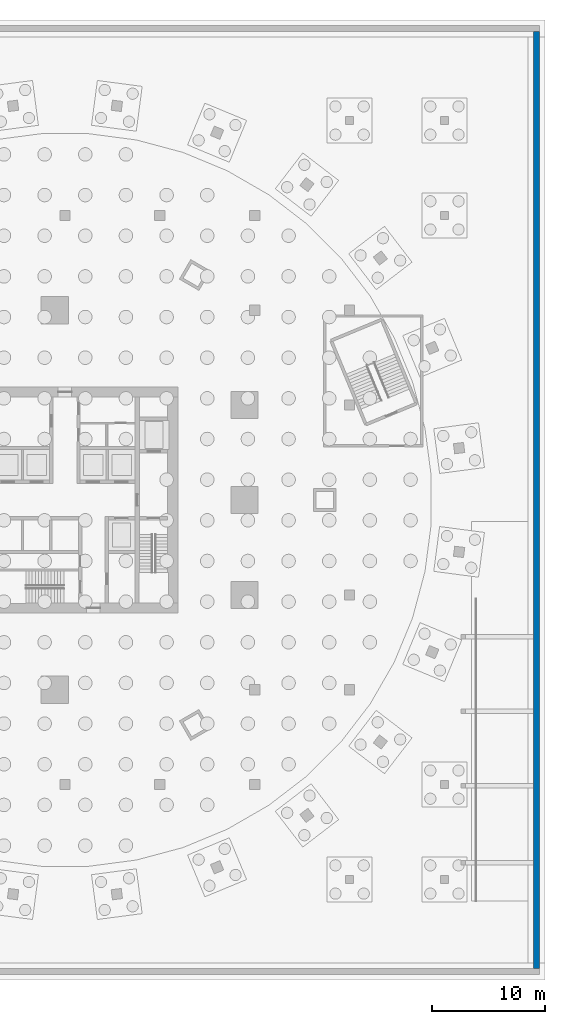
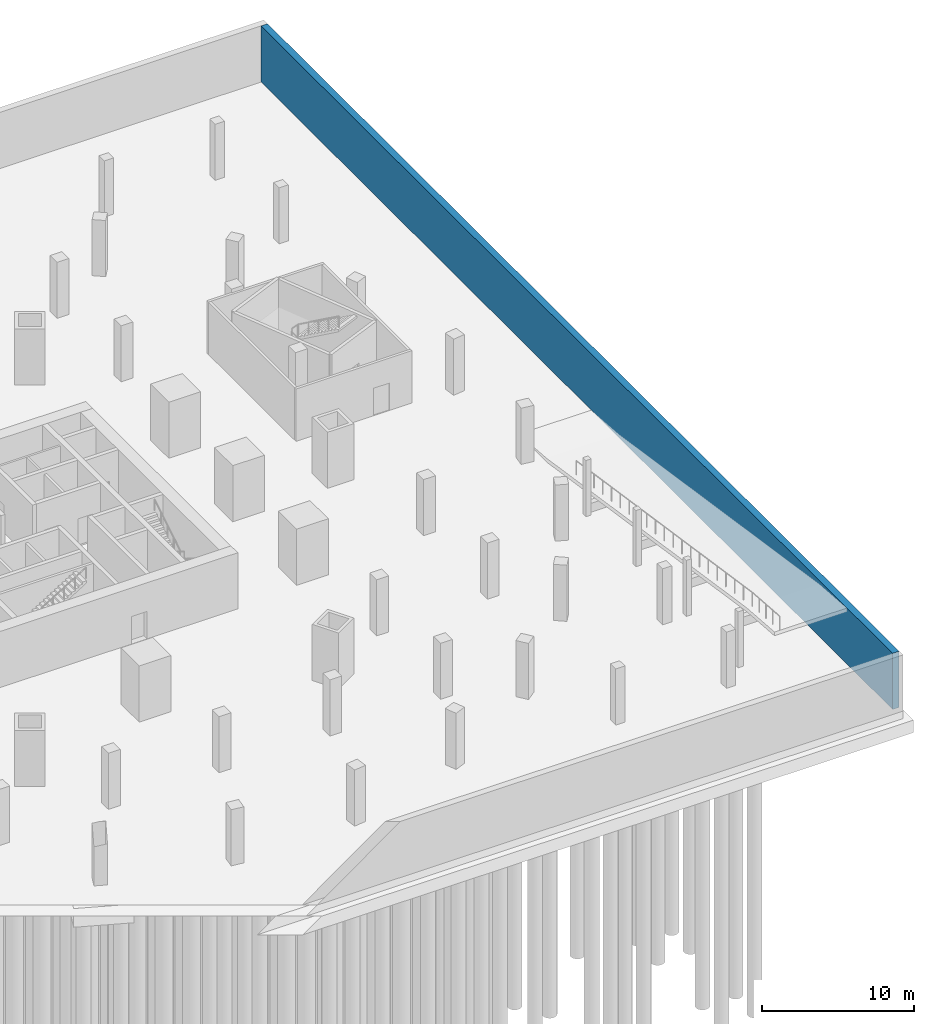
# One storey, part 7 of 12: 1 wall.
"""IFC4 building model written with IfcOpenShell, lengths in metres."""

import ifcopenshell
import ifcopenshell.guid

model = None  # the IFC model being written
_history = None  # IfcOwnerHistory: only IFC2X3 demands one
_inside = {}  # id of a spatial element -> (the spatial element, [elements in it])
_under = {}  # id of a project, library or spatial element -> (it, [spatial elements below it])
_declared = {}  # id of a project -> (the project, [libraries it declares])
_typed = {}  # id of a type object -> (the type object, [elements of that type])
_made_of = {}  # id of a material, layer set ... -> (it, [elements and type objects made of it])


def new_model(schema):
    """Start an empty IFC model of exactly this schema.

    Asked for "IFC4X3", IfcOpenShell would pick the latest addendum, in which some entities
    have other attributes; the version numbers below select the first issue.
    IFC2X3 requires an IfcOwnerHistory on every rooted entity: one is made here for all.
    """
    global model, _history
    if schema == "IFC4X3":
        model = ifcopenshell.file(schema_version=(4, 3, 0, 0))
    else:
        model = ifcopenshell.file(schema=schema)
    _inside.clear()
    _under.clear()
    _declared.clear()
    _typed.clear()
    _made_of.clear()
    _history = None
    if model.schema == "IFC2X3":
        org = make("IfcOrganization", Name="unknown")
        user = make(
            "IfcPersonAndOrganization",
            ThePerson=make("IfcPerson", FamilyName="unknown"),
            TheOrganization=org,
        )
        app = make(
            "IfcApplication",
            ApplicationDeveloper=org,
            Version="unknown",
            ApplicationFullName="unknown",
            ApplicationIdentifier="unknown",
        )
        _history = make(
            "IfcOwnerHistory",
            OwningUser=user,
            OwningApplication=app,
            ChangeAction="ADDED",
            CreationDate=0,
        )
    return model


def make(cls, **values):
    """One entity of the class cls with the attributes given. An attribute that is None is left unset."""
    return model.create_entity(
        cls, **{name: value for name, value in values.items() if value is not None}
    )


def rooted(cls, **values):
    """An entity with a GlobalId (a new one), such as an element, a storey or a relation."""
    return make(cls, GlobalId=ifcopenshell.guid.new(), OwnerHistory=_history, **values)


def si_unit(unit_type, name, prefix=None):
    """IfcSIUnit, for example si_unit("LENGTHUNIT", "METRE", prefix="MILLI")."""
    return make("IfcSIUnit", UnitType=unit_type, Prefix=prefix, Name=name)


def assignment(units):
    """IfcUnitAssignment: the units of a project."""
    return None if units is None else make("IfcUnitAssignment", Units=units)


def point(xyz):
    """IfcCartesianPoint."""
    return None if xyz is None else make("IfcCartesianPoint", Coordinates=xyz)


def direction(xyz):
    """IfcDirection."""
    return None if xyz is None else make("IfcDirection", DirectionRatios=xyz)


def frame(location, z_axis=None, x_axis=None):
    """IfcAxis2Placement3D, a coordinate frame: its origin and axes. An axis left out is left unset."""
    return make(
        "IfcAxis2Placement3D",
        Location=point(location),
        Axis=direction(z_axis),
        RefDirection=direction(x_axis),
    )


def frame_2d(location, x_axis=None):
    """IfcAxis2Placement2D, a coordinate frame in the plane: its origin and x axis."""
    return make(
        "IfcAxis2Placement2D", Location=point(location), RefDirection=direction(x_axis)
    )


def origin():
    """The frame at (0, 0, 0) with its axes left unset."""
    return frame((0.0, 0.0, 0.0))


def place(relative_to, where):
    """IfcLocalPlacement: puts the frame where relative to a parent placement (None: the world)."""
    return make(
        "IfcLocalPlacement", PlacementRelTo=relative_to, RelativePlacement=where
    )


def context(
    kind, dimensions, precision=None, world=None, true_north=None, identifier=None
):
    """IfcGeometricRepresentationContext, for example the 3D "Model" context."""
    return make(
        "IfcGeometricRepresentationContext",
        ContextIdentifier=identifier,
        ContextType=kind,
        CoordinateSpaceDimension=dimensions,
        Precision=precision,
        WorldCoordinateSystem=world,
        TrueNorth=true_north,
    )


def subcontext(parent, identifier, kind, view, scale=None):
    """IfcGeometricRepresentationSubContext, for example "Body" below "Model"."""
    return make(
        "IfcGeometricRepresentationSubContext",
        ContextIdentifier=identifier,
        ContextType=kind,
        ParentContext=parent,
        TargetScale=scale,
        TargetView=view,
    )


def project(units=None, contexts=None):
    """IfcProject with its units and contexts."""
    return rooted(
        "IfcProject",
        Name="project",
        RepresentationContexts=contexts,
        UnitsInContext=assignment(units),
    )


def spatial(cls, under=None, at=None, **own):
    """A site, building, storey or space (cls), placed at a placement, below another one or the project."""
    s = rooted(cls, ObjectPlacement=at, **own)
    if under is not None:
        _under.setdefault(under.id(), (under, []))[1].append(s)
    return s


def profile(cls, at=None, kind="AREA", **sizes):
    """A parametric profile (cls). Its sizes go by their IFC names, for example OverallWidth=200.0."""
    return make(cls, ProfileType=kind, Position=at, **sizes)


def rectangle(**sizes):
    """IfcRectangleProfileDef."""
    return profile("IfcRectangleProfileDef", **sizes)


def extrude(swept, where, along, depth):
    """IfcExtrudedAreaSolid: the profile swept, set in the frame where, extruded along a direction by depth."""
    return make(
        "IfcExtrudedAreaSolid",
        SweptArea=swept,
        Position=where,
        ExtrudedDirection=direction(along),
        Depth=depth,
    )


def shape(context_of_items, identifier, shape_type, items):
    """IfcShapeRepresentation: the items that make up one representation, for example the "Body"."""
    return make(
        "IfcShapeRepresentation",
        ContextOfItems=context_of_items,
        RepresentationIdentifier=identifier,
        RepresentationType=shape_type,
        Items=items,
    )


def material(Name=None, Category=None):
    """IfcMaterial."""
    return make("IfcMaterial", Name=Name, Category=Category)


def layer(
    of_material, thickness, ventilated=None, Name=None, Category=None, Priority=None
):
    """IfcMaterialLayer: one layer of a wall or slab, of a material (None: an air gap)."""
    return make(
        "IfcMaterialLayer",
        Material=of_material,
        LayerThickness=thickness,
        IsVentilated=ventilated,
        Name=Name,
        Category=Category,
        Priority=Priority,
    )


def layer_set(layers, Name=None):
    """IfcMaterialLayerSet."""
    return make("IfcMaterialLayerSet", MaterialLayers=layers, LayerSetName=Name)


def made_of(thing, what):
    """Note that an element or type object is made of a material, layer set ...; save() writes the relation."""
    if what is not None:
        _made_of.setdefault(what.id(), (what, []))[1].append(thing)
    return thing


def type_object(cls, material=None, **own):
    """A type object (cls), such as IfcWallType, which elements share."""
    return made_of(rooted(cls, **own), material)


def element(
    cls,
    number,
    at=None,
    inside=None,
    cuts=None,
    type_object=None,
    material=None,
    context=None,
    identifier="Body",
    shape_type=None,
    held_by="IfcProductDefinitionShape",
    body=None,
    shapes=None,
    **own,
):
    """One element of the class cls, such as IfcWall. Its Tag is "e" and its number.

    at: its placement. inside: the storey or other place that contains it. cuts: it is an
    opening in that element (IfcRelVoidsElement). A single representation is given by context,
    identifier, shape_type and body (its items); several are given by shapes. held_by: the class
    of the entity that holds the representations. save() writes the other relations.
    """
    e = rooted(cls, Tag="e%d" % number, ObjectPlacement=at, **own)
    if body is not None:
        shapes = [shape(context, identifier, shape_type, body)]
    if shapes is not None:
        e.Representation = make(held_by, Representations=shapes)
    if inside is not None:
        _inside.setdefault(inside.id(), (inside, []))[1].append(e)
    if cuts is not None:
        rooted(
            "IfcRelVoidsElement", RelatingBuildingElement=cuts, RelatedOpeningElement=e
        )
    if type_object is not None:
        _typed.setdefault(type_object.id(), (type_object, []))[1].append(e)
    return made_of(e, material)


def aggregate(whole, parts):
    """IfcRelAggregates: a whole, such as a stair, and the parts it consists of."""
    return rooted("IfcRelAggregates", RelatingObject=whole, RelatedObjects=parts)


def save(model, path):
    """Write the relations noted so far, then the file.

    IfcRelAggregates (storeys below a building ...), IfcRelContainedInSpatialStructure (elements
    in a storey), IfcRelDefinesByType, IfcRelAssociatesMaterial and IfcRelDeclares: one each for
    every whole, place, type object, material and project.
    """
    for whole, parts in _under.values():
        aggregate(whole, parts)
    for where, things in _inside.values():
        rooted(
            "IfcRelContainedInSpatialStructure",
            RelatedElements=things,
            RelatingStructure=where,
        )
    for kind, things in _typed.values():
        rooted("IfcRelDefinesByType", RelatedObjects=things, RelatingType=kind)
    for what, things in _made_of.values():
        rooted("IfcRelAssociatesMaterial", RelatedObjects=things, RelatingMaterial=what)
    for by, libraries in _declared.values():
        rooted("IfcRelDeclares", RelatingContext=by, RelatedDefinitions=libraries)
    model.write(path)


model = new_model("IFC4")

# Units and contexts
model_context = context("Model", 3, precision=1e-05, world=origin(), true_north=direction((0.0, 1.0)))
body_context = subcontext(model_context, "Body", "Model", "MODEL_VIEW")
ifc_project = project(units=[si_unit("LENGTHUNIT", "METRE"), si_unit("AREAUNIT", "SQUARE_METRE"), si_unit("VOLUMEUNIT", "CUBIC_METRE"), si_unit("PLANEANGLEUNIT", "RADIAN"), si_unit("MASSUNIT", "GRAM", prefix="KILO")], contexts=[model_context])

# Site, building, storey
site_placement = place(None, origin())
site = spatial("IfcSite", under=ifc_project, at=site_placement, CompositionType="ELEMENT")
building_placement = place(site_placement, origin())
building = spatial("IfcBuilding", under=site, at=building_placement, Name="Golbaran Civic Tower", CompositionType="ELEMENT")
storey_placement = place(building_placement, frame((0.0, 0.0, -13.5)))
storey = spatial("IfcBuildingStorey", under=building, at=storey_placement, Name="B3", CompositionType="ELEMENT", Elevation=-13.5)

# Wall
ifc_material = material(Name="Concrete C50/60", Category="concrete")
ifc_layer = layer(ifc_material, 0.5, Name="Concrete C50/60")
ifc_layer_set = layer_set([ifc_layer], Name="Concrete C50/60")
wall_type = type_object("IfcWallType", Name="BASEMENT RETAINING WALL CONCRETE 500", PredefinedType="SOLIDWALL", material=ifc_layer_set)
wall_placement = place(storey_placement, frame((41.75, -41.5, 0.0), z_axis=(0.0, 0.0, 1.0), x_axis=(0.0, 1.0, 0.0)))
element("IfcWall", 1, at=wall_placement, inside=storey, type_object=wall_type, Name="Basement retaining wall E B3", PredefinedType="SOLIDWALL", context=body_context, shape_type="SweptSolid", body=[
    extrude(rectangle(XDim=83.0, YDim=0.5, at=frame_2d((41.5, 0.0))), origin(), (0.0, 0.0, 1.0), 4.5),
])

save(model, "model.ifc")
